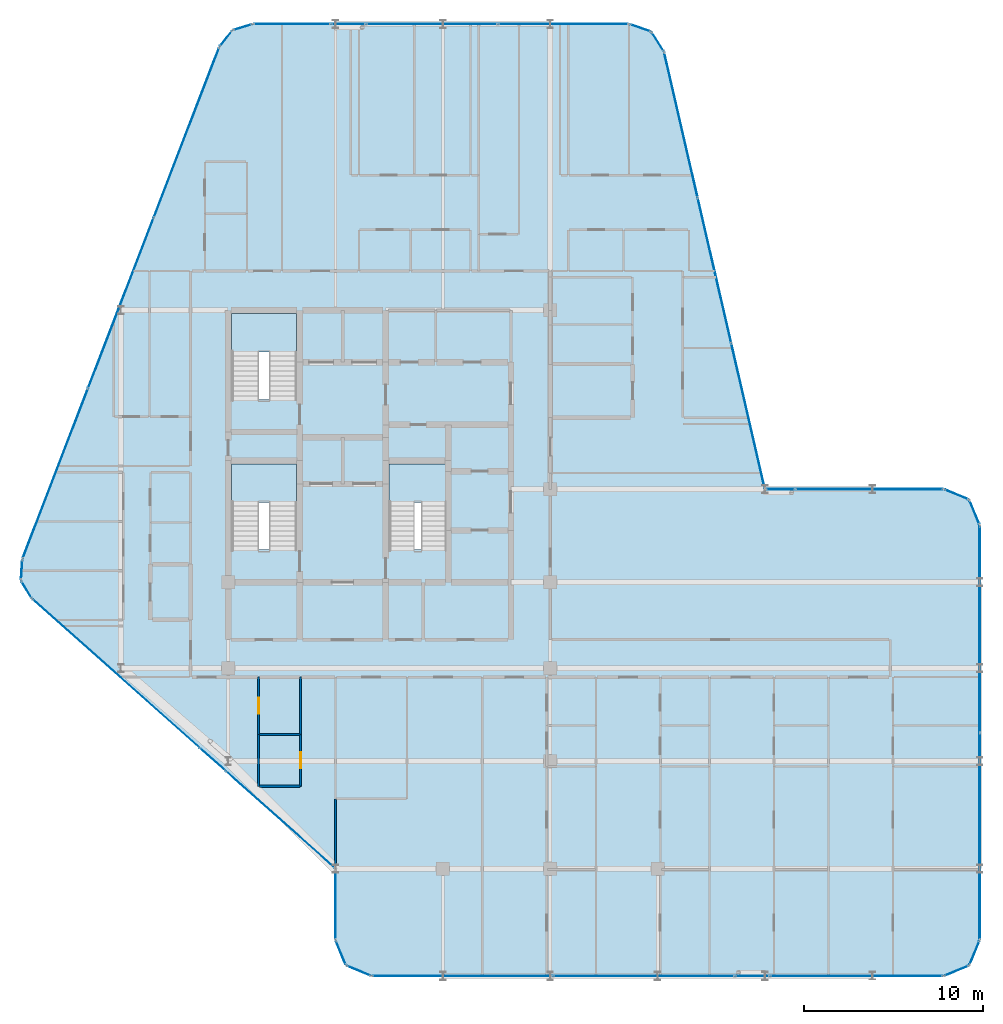
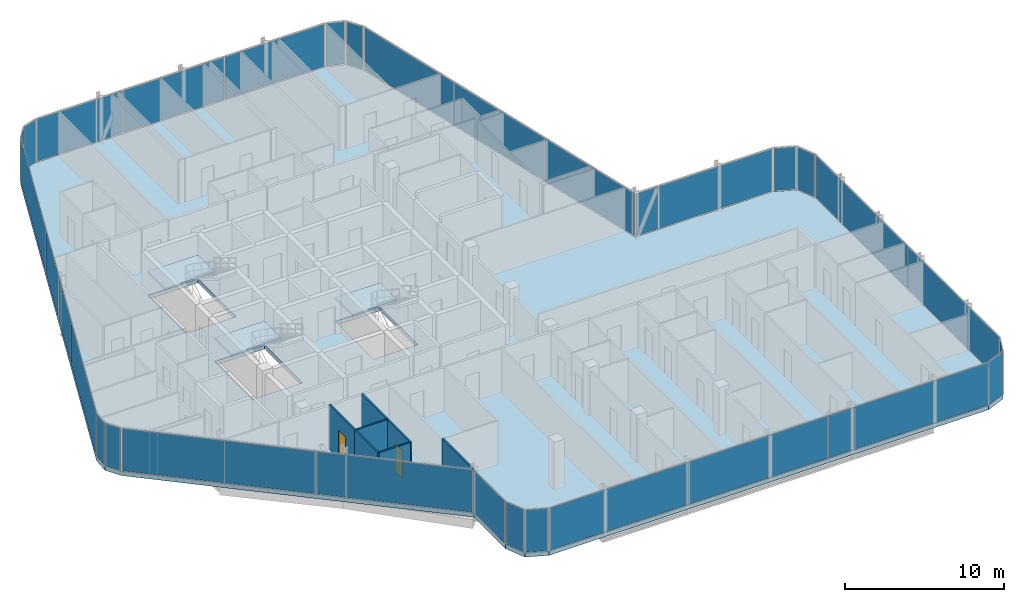
# One storey, part 22 of 29: 34 plates, 7 walls, 4 slabs, 2 doors, 2 openings, 30 elements without a shape of their own.
"""IFC4 building model written with IfcOpenShell, lengths in metres."""

from ifc_helpers import new_model, si_unit, direction, frame, frame_2d, origin, origin_2d, place, context, subcontext, project, spatial, polyline, rectangle, outline, extrude, material, layer, layer_set, type_object, element, fill, aggregate, save


model = new_model("IFC4")

# Units and contexts
model_context = context("Model", 3, precision=1e-05, world=origin(), true_north=direction((0.0, 1.0)))
body_context = subcontext(model_context, "Body", "Model", "MODEL_VIEW")
ifc_project = project(units=[si_unit("LENGTHUNIT", "METRE"), si_unit("AREAUNIT", "SQUARE_METRE"), si_unit("VOLUMEUNIT", "CUBIC_METRE"), si_unit("PLANEANGLEUNIT", "RADIAN"), si_unit("MASSUNIT", "GRAM", prefix="KILO")], contexts=[model_context])

# Site, building, storey
site_placement = place(None, origin())
site = spatial("IfcSite", under=ifc_project, at=site_placement, CompositionType="ELEMENT")
building_placement = place(site_placement, origin())
building = spatial("IfcBuilding", under=site, at=building_placement, Name="Keshet Zoharim Tower", CompositionType="ELEMENT")
storey_placement = place(building_placement, frame((0.0, 0.0, 222.800048828125)))
storey = spatial("IfcBuildingStorey", under=building, at=storey_placement, Name="L55", CompositionType="ELEMENT", Elevation=222.800048828125)

# Curtain wall, plate
ifc_material_1 = material(Name="Aluminium 6063-T6", Category="aluminium")
ifc_layer_1 = layer(ifc_material_1, 0.139892578125)
ifc_layer_set_1 = layer_set([ifc_layer_1], Name="Aluminium 6063-T6")
curtain_wall_type = type_object("IfcCurtainWallType", Name="CW-SYS-05", PredefinedType="NOTDEFINED", material=ifc_layer_set_1)
curtain_wall_1_placement = place(storey_placement, origin())
curtain_wall_1 = element("IfcCurtainWall", 1, at=curtain_wall_1_placement, inside=storey, type_object=curtain_wall_type, Name="L55 Unitised Curtain Wall 01", PredefinedType="NOTDEFINED")
ifc_material_2 = material(Name="Insulated Low-E Clear Glass", Category="glass")
ifc_layer_2 = layer(ifc_material_2, 0.031982421875)
ifc_layer_set_2 = layer_set([ifc_layer_2], Name="Insulated Low-E Clear Glass")
plate_type_1 = type_object("IfcPlateType", Name="CWP-02", PredefinedType="CURTAIN_PANEL", material=ifc_layer_set_2)
plate_1_placement = place(storey_placement, frame((55.70703125, 27.60693359375, 0.070068359375), z_axis=(0.0, 0.0, 1.0), x_axis=(0.92380975372, -0.382851849847, 0.0)))
plate_1 = element("IfcPlate", 2, at=plate_1_placement, type_object=plate_type_1, Name="CW-05 panel 1.1", PredefinedType="CURTAIN_PANEL", context=body_context, shape_type="SweptSolid", body=[
    extrude(rectangle(XDim=1.390625, YDim=0.031982421875, at=origin_2d()), origin(), (0.0, 0.0, 1.0), 3.25),
])
aggregate(curtain_wall_1, [plate_1])

curtain_wall_2_placement = place(storey_placement, origin())
curtain_wall_2 = element("IfcCurtainWall", 3, at=curtain_wall_2_placement, inside=storey, type_object=curtain_wall_type, Name="L55 Unitised Curtain Wall 02", PredefinedType="NOTDEFINED")
plate_2_placement = place(storey_placement, frame((56.70703125, 26.60693359375, 0.070068359375), z_axis=(0.0, 0.0, 1.0), x_axis=(0.382851849847, -0.92380975372, 0.0)))
plate_2 = element("IfcPlate", 4, at=plate_2_placement, type_object=plate_type_1, Name="CW-05 panel 1.1", PredefinedType="CURTAIN_PANEL", context=body_context, shape_type="SweptSolid", body=[
    extrude(rectangle(XDim=1.390625, YDim=0.031982421875, at=origin_2d()), origin(), (0.0, 0.0, 1.0), 3.25),
])
aggregate(curtain_wall_2, [plate_2])

# Curtain wall, plates
curtain_wall_3_placement = place(storey_placement, origin())
curtain_wall_3 = element("IfcCurtainWall", 5, at=curtain_wall_3_placement, inside=storey, type_object=curtain_wall_type, Name="L55 Unitised Curtain Wall 03", PredefinedType="NOTDEFINED")
plate_3_placement = place(storey_placement, frame((57.0, 20.08251953125, 0.070068359375), z_axis=(0.0, 0.0, 1.0), x_axis=(0.0, -1.0, 0.0)))
plate_3 = element("IfcPlate", 6, at=plate_3_placement, type_object=plate_type_1, Name="CW-05 panel 1.1", PredefinedType="CURTAIN_PANEL", context=body_context, shape_type="SweptSolid", body=[
    extrude(rectangle(XDim=11.4951171875, YDim=0.031982421875, at=origin_2d()), origin(), (0.0, 0.0, 1.0), 3.25),
])
plate_4_placement = place(storey_placement, frame((57.0, 8.517578125, 0.070068359375), z_axis=(0.0, 0.0, 1.0), x_axis=(0.0, -1.0, 0.0)))
plate_4 = element("IfcPlate", 7, at=plate_4_placement, type_object=plate_type_1, Name="CW-05 panel 2.1", PredefinedType="CURTAIN_PANEL", context=body_context, shape_type="SweptSolid", body=[
    extrude(rectangle(XDim=11.4951171875, YDim=0.031982421875, at=origin_2d()), origin(), (0.0, 0.0, 1.0), 3.25),
])
aggregate(curtain_wall_3, [plate_3, plate_4])

# Curtain wall, plate
curtain_wall_4_placement = place(storey_placement, origin())
curtain_wall_4 = element("IfcCurtainWall", 8, at=curtain_wall_4_placement, inside=storey, type_object=curtain_wall_type, Name="L55 Unitised Curtain Wall 04", PredefinedType="NOTDEFINED")
plate_5_placement = place(storey_placement, frame((56.70703125, 1.992919921875, 0.070068359375), z_axis=(0.0, 0.0, 1.0), x_axis=(-0.382851849847, -0.92380975372, 0.0)))
plate_5 = element("IfcPlate", 9, at=plate_5_placement, type_object=plate_type_1, Name="CW-05 panel 1.1", PredefinedType="CURTAIN_PANEL", context=body_context, shape_type="SweptSolid", body=[
    extrude(rectangle(XDim=1.390625, YDim=0.031982421875, at=origin_2d()), origin(), (0.0, 0.0, 1.0), 3.25),
])
aggregate(curtain_wall_4, [plate_5])

curtain_wall_5_placement = place(storey_placement, origin())
curtain_wall_5 = element("IfcCurtainWall", 10, at=curtain_wall_5_placement, inside=storey, type_object=curtain_wall_type, Name="L55 Unitised Curtain Wall 05", PredefinedType="NOTDEFINED")
plate_6_placement = place(storey_placement, frame((55.70703125, 0.992919921875, 0.070068359375), z_axis=(0.0, 0.0, 1.0), x_axis=(-0.92380975372, -0.382851849847, 0.0)))
plate_6 = element("IfcPlate", 11, at=plate_6_placement, type_object=plate_type_1, Name="CW-05 panel 1.1", PredefinedType="CURTAIN_PANEL", context=body_context, shape_type="SweptSolid", body=[
    extrude(rectangle(XDim=1.390625, YDim=0.031982421875, at=origin_2d()), origin(), (0.0, 0.0, 1.0), 3.25),
])
aggregate(curtain_wall_5, [plate_6])

curtain_wall_6_placement = place(storey_placement, origin())
curtain_wall_6 = element("IfcCurtainWall", 12, at=curtain_wall_6_placement, inside=storey, type_object=curtain_wall_type, Name="L55 Unitised Curtain Wall 06", PredefinedType="NOTDEFINED")
plate_7_placement = place(storey_placement, frame((50.1123046875, 0.699951171875, 0.070068359375), z_axis=(0.0, 0.0, 1.0), x_axis=(-1.0, 0.0, 0.0)))
plate_7 = element("IfcPlate", 13, at=plate_7_placement, type_object=plate_type_1, Name="CW-05 panel 1.1", PredefinedType="CURTAIN_PANEL", context=body_context, shape_type="SweptSolid", body=[
    extrude(rectangle(XDim=9.63525390625, YDim=0.031982421875, at=origin_2d()), origin(), (0.0, 0.0, 1.0), 3.25),
])
aggregate(curtain_wall_6, [plate_7])

# Curtain wall, plates
curtain_wall_7_placement = place(storey_placement, origin())
curtain_wall_7 = element("IfcCurtainWall", 14, at=curtain_wall_7_placement, inside=storey, type_object=curtain_wall_type, Name="L55 Unitised Curtain Wall 06 Part 3", PredefinedType="NOTDEFINED")
plate_8_placement = place(storey_placement, frame((38.223876953125, 0.699951171875, 0.070068359375), z_axis=(0.0, 0.0, 1.0), x_axis=(-1.0, 0.0, 0.0)))
plate_8 = element("IfcPlate", 15, at=plate_8_placement, type_object=plate_type_1, Name="CW-05 panel 1.1", PredefinedType="CURTAIN_PANEL", context=body_context, shape_type="SweptSolid", body=[
    extrude(rectangle(XDim=10.1025390625, YDim=0.031982421875, at=origin_2d()), origin(), (0.0, 0.0, 1.0), 3.25),
])
plate_9_placement = place(storey_placement, frame((28.086181640625, 0.699951171875, 0.070068359375), z_axis=(0.0, 0.0, 1.0), x_axis=(-1.0, 0.0, 0.0)))
plate_9 = element("IfcPlate", 16, at=plate_9_placement, type_object=plate_type_1, Name="CW-05 panel 2.1", PredefinedType="CURTAIN_PANEL", context=body_context, shape_type="SweptSolid", body=[
    extrude(rectangle(XDim=10.03271484375, YDim=0.031982421875, at=origin_2d()), origin(), (0.0, 0.0, 1.0), 3.25),
])
aggregate(curtain_wall_7, [plate_8, plate_9])

# Curtain wall, plate
curtain_wall_8_placement = place(storey_placement, origin())
curtain_wall_8 = element("IfcCurtainWall", 17, at=curtain_wall_8_placement, inside=storey, type_object=curtain_wall_type, Name="L55 Unitised Curtain Wall 07", PredefinedType="NOTDEFINED")
plate_10_placement = place(storey_placement, frame((22.29296875, 0.992919921875, 0.070068359375), z_axis=(0.0, 0.0, 1.0), x_axis=(-0.92380975372, 0.382851849847, 0.0)))
plate_10 = element("IfcPlate", 18, at=plate_10_placement, type_object=plate_type_1, Name="CW-05 panel 1.1", PredefinedType="CURTAIN_PANEL", context=body_context, shape_type="SweptSolid", body=[
    extrude(rectangle(XDim=1.390625, YDim=0.031982421875, at=origin_2d()), origin(), (0.0, 0.0, 1.0), 3.25),
])
aggregate(curtain_wall_8, [plate_10])

curtain_wall_9_placement = place(storey_placement, origin())
curtain_wall_9 = element("IfcCurtainWall", 19, at=curtain_wall_9_placement, inside=storey, type_object=curtain_wall_type, Name="L55 Unitised Curtain Wall 08", PredefinedType="NOTDEFINED")
plate_11_placement = place(storey_placement, frame((21.29296875, 1.992919921875, 0.070068359375), z_axis=(0.0, 0.0, 1.0), x_axis=(-0.382851849847, 0.92380975372, 0.0)))
plate_11 = element("IfcPlate", 20, at=plate_11_placement, type_object=plate_type_1, Name="CW-05 panel 1.1", PredefinedType="CURTAIN_PANEL", context=body_context, shape_type="SweptSolid", body=[
    extrude(rectangle(XDim=1.390625, YDim=0.031982421875, at=origin_2d()), origin(), (0.0, 0.0, 1.0), 3.25),
])
aggregate(curtain_wall_9, [plate_11])

curtain_wall_10_placement = place(storey_placement, origin())
curtain_wall_10 = element("IfcCurtainWall", 21, at=curtain_wall_10_placement, inside=storey, type_object=curtain_wall_type, Name="L55 Unitised Curtain Wall 09", PredefinedType="NOTDEFINED")
plate_12_placement = place(storey_placement, frame((21.0, 4.699951171875, 0.070068359375), z_axis=(0.0, 0.0, 1.0), x_axis=(0.0, 1.0, 0.0)))
plate_12 = element("IfcPlate", 22, at=plate_12_placement, type_object=plate_type_1, Name="CW-05 panel 1.1", PredefinedType="CURTAIN_PANEL", context=body_context, shape_type="SweptSolid", body=[
    extrude(rectangle(XDim=3.860107421875, YDim=0.031982421875, at=origin_2d()), origin(), (0.0, 0.0, 1.0), 3.25),
])
aggregate(curtain_wall_10, [plate_12])

curtain_wall_11_placement = place(storey_placement, origin())
curtain_wall_11 = element("IfcCurtainWall", 23, at=curtain_wall_11_placement, inside=storey, type_object=curtain_wall_type, Name="L55 Unitised Curtain Wall 10", PredefinedType="NOTDEFINED")
plate_13_placement = place(storey_placement, frame((17.91845703125, 9.439208984375, 0.070068359375), z_axis=(0.0, 0.0, 1.0), x_axis=(-0.747409987764, 0.664363086114, 0.0)))
plate_13 = element("IfcPlate", 24, at=plate_13_placement, type_object=plate_type_1, Name="CW-05 panel 1.1", PredefinedType="CURTAIN_PANEL", context=body_context, shape_type="SweptSolid", body=[
    extrude(rectangle(XDim=8.10595703125, YDim=0.031982421875, at=origin_2d()), origin(), (0.0, 0.0, 1.0), 3.25),
])
aggregate(curtain_wall_11, [plate_13])

curtain_wall_12_placement = place(storey_placement, origin())
curtain_wall_12 = element("IfcCurtainWall", 25, at=curtain_wall_12_placement, inside=storey, type_object=curtain_wall_type, Name="L55 Unitised Curtain Wall 10 Part 3", PredefinedType="NOTDEFINED")
plate_14_placement = place(storey_placement, frame((8.7333984375, 17.603515625, 0.070068359375), z_axis=(0.0, 0.0, 1.0), x_axis=(-0.747409318679, 0.664363838836, 0.0)))
plate_14 = element("IfcPlate", 26, at=plate_14_placement, type_object=plate_type_1, Name="CW-05 panel 1.1", PredefinedType="CURTAIN_PANEL", context=body_context, shape_type="SweptSolid", body=[
    extrude(rectangle(XDim=12.432861328125, YDim=0.031982421875, at=origin_2d()), origin(), (0.0, 0.0, 1.0), 3.25),
])
aggregate(curtain_wall_12, [plate_14])

curtain_wall_13_placement = place(storey_placement, origin())
curtain_wall_13 = element("IfcCurtainWall", 27, at=curtain_wall_13_placement, inside=storey, type_object=curtain_wall_type, Name="L55 Unitised Curtain Wall 11", PredefinedType="NOTDEFINED")
plate_15_placement = place(storey_placement, frame((3.7275390625, 22.291015625, 0.070068359375), z_axis=(0.0, 0.0, 1.0), x_axis=(-0.515604947933, 0.856826433805, 0.0)))
plate_15 = element("IfcPlate", 28, at=plate_15_placement, type_object=plate_type_1, Name="CW-05 panel 1.1", PredefinedType="CURTAIN_PANEL", context=body_context, shape_type="SweptSolid", body=[
    extrude(rectangle(XDim=1.052734375, YDim=0.031982421875, at=origin_2d()), origin(), (0.0, 0.0, 1.0), 3.25),
])
aggregate(curtain_wall_13, [plate_15])

curtain_wall_14_placement = place(storey_placement, origin())
curtain_wall_14 = element("IfcCurtainWall", 29, at=curtain_wall_14_placement, inside=storey, type_object=curtain_wall_type, Name="L55 Unitised Curtain Wall 12", PredefinedType="NOTDEFINED")
plate_16_placement = place(storey_placement, frame((3.45849609375, 23.3974609375, 0.070068359375), z_axis=(0.0, 0.0, 1.0), x_axis=(0.064516859374, 0.997916617186, 0.0)))
plate_16 = element("IfcPlate", 30, at=plate_16_placement, type_object=plate_type_1, Name="CW-05 panel 1.1", PredefinedType="CURTAIN_PANEL", context=body_context, shape_type="SweptSolid", body=[
    extrude(rectangle(XDim=1.053466796875, YDim=0.031982421875, at=origin_2d()), origin(), (0.0, 0.0, 1.0), 3.25),
])
aggregate(curtain_wall_14, [plate_16])

# Curtain wall, plates
curtain_wall_15_placement = place(storey_placement, origin())
curtain_wall_15 = element("IfcCurtainWall", 31, at=curtain_wall_15_placement, inside=storey, type_object=curtain_wall_type, Name="L55 Unitised Curtain Wall 13", PredefinedType="NOTDEFINED")
plate_17_placement = place(storey_placement, frame((5.33837890625, 28.7802734375, 0.070068359375), z_axis=(0.0, 0.0, 1.0), x_axis=(0.358990003907, 0.933341404361, 0.0)))
plate_17 = element("IfcPlate", 32, at=plate_17_placement, type_object=plate_type_1, Name="CW-05 panel 1.1", PredefinedType="CURTAIN_PANEL", context=body_context, shape_type="SweptSolid", body=[
    extrude(rectangle(XDim=10.1181640625, YDim=0.031982421875, at=origin_2d()), origin(), (0.0, 0.0, 1.0), 3.25),
])
plate_18_placement = place(storey_placement, frame((9.001953125, 38.305419921875, 0.070068359375), z_axis=(0.0, 0.0, 1.0), x_axis=(0.358990003907, 0.933341404361, 0.0)))
plate_18 = element("IfcPlate", 33, at=plate_18_placement, type_object=plate_type_1, Name="CW-05 panel 2.1", PredefinedType="CURTAIN_PANEL", context=body_context, shape_type="SweptSolid", body=[
    extrude(rectangle(XDim=10.153076171875, YDim=0.031982421875, at=origin_2d()), origin(), (0.0, 0.0, 1.0), 3.25),
])
plate_19_placement = place(storey_placement, frame((12.665771484375, 47.830810546875, 0.070068359375), z_axis=(0.0, 0.0, 1.0), x_axis=(0.358990003907, 0.933341404361, 0.0)))
plate_19 = element("IfcPlate", 34, at=plate_19_placement, type_object=plate_type_1, Name="CW-05 panel 3.1", PredefinedType="CURTAIN_PANEL", context=body_context, shape_type="SweptSolid", body=[
    extrude(rectangle(XDim=10.1181640625, YDim=0.031982421875, at=origin_2d()), origin(), (0.0, 0.0, 1.0), 3.25),
])
aggregate(curtain_wall_15, [plate_17, plate_18, plate_19])

# Curtain wall, plate
curtain_wall_16_placement = place(storey_placement, origin())
curtain_wall_16 = element("IfcCurtainWall", 35, at=curtain_wall_16_placement, inside=storey, type_object=curtain_wall_type, Name="L55 Unitised Curtain Wall 14", PredefinedType="NOTDEFINED")
plate_20_placement = place(storey_placement, frame((14.8740234375, 53.08349609375, 0.070068359375), z_axis=(0.0, 0.0, 1.0), x_axis=(0.619124525989, 0.785292825205, 0.0)))
plate_20 = element("IfcPlate", 36, at=plate_20_placement, type_object=plate_type_1, Name="CW-05 panel 1.1", PredefinedType="CURTAIN_PANEL", context=body_context, shape_type="SweptSolid", body=[
    extrude(rectangle(XDim=1.045654296875, YDim=0.031982421875, at=origin_2d()), origin(), (0.0, 0.0, 1.0), 3.25),
])
aggregate(curtain_wall_16, [plate_20])

curtain_wall_17_placement = place(storey_placement, origin())
curtain_wall_17 = element("IfcCurtainWall", 37, at=curtain_wall_17_placement, inside=storey, type_object=curtain_wall_type, Name="L55 Unitised Curtain Wall 15", PredefinedType="NOTDEFINED")
plate_21_placement = place(storey_placement, frame((15.8076171875, 53.724609375, 0.070068359375), z_axis=(0.0, 0.0, 1.0), x_axis=(0.955212151288, 0.295921857984, 0.0)))
plate_21 = element("IfcPlate", 38, at=plate_21_placement, type_object=plate_type_1, Name="CW-05 panel 1.1", PredefinedType="CURTAIN_PANEL", context=body_context, shape_type="SweptSolid", body=[
    extrude(rectangle(XDim=1.046142578125, YDim=0.031982421875, at=origin_2d()), origin(), (0.0, 0.0, 1.0), 3.25),
])
aggregate(curtain_wall_17, [plate_21])

curtain_wall_18_placement = place(storey_placement, origin())
curtain_wall_18 = element("IfcCurtainWall", 39, at=curtain_wall_18_placement, inside=storey, type_object=curtain_wall_type, Name="L55 Unitised Curtain Wall 16", PredefinedType="NOTDEFINED")
plate_22_placement = place(storey_placement, frame((18.57470703125, 53.89990234375, 0.070068359375), z_axis=(0.0, 0.0, 1.0), x_axis=(1.0, 0.0, 0.0)))
plate_22 = element("IfcPlate", 40, at=plate_22_placement, type_object=plate_type_1, Name="CW-05 panel 1.1", PredefinedType="CURTAIN_PANEL", context=body_context, shape_type="SweptSolid", body=[
    extrude(rectangle(XDim=4.26123046875, YDim=0.031982421875, at=origin_2d()), origin(), (0.0, 0.0, 1.0), 3.25),
])
aggregate(curtain_wall_18, [plate_22])

# Curtain wall, plates
curtain_wall_19_placement = place(storey_placement, origin())
curtain_wall_19 = element("IfcCurtainWall", 41, at=curtain_wall_19_placement, inside=storey, type_object=curtain_wall_type, Name="L55 Unitised Curtain Wall 16 Part 3", PredefinedType="NOTDEFINED")
plate_23_placement = place(storey_placement, frame((26.37841796875, 53.89990234375, 0.070068359375), z_axis=(0.0, 0.0, 1.0), x_axis=(1.0, 0.0, 0.0)))
plate_23 = element("IfcPlate", 42, at=plate_23_placement, type_object=plate_type_1, Name="CW-05 panel 1.1", PredefinedType="CURTAIN_PANEL", context=body_context, shape_type="SweptSolid", body=[
    extrude(rectangle(XDim=7.30712890625, YDim=0.031982421875, at=origin_2d()), origin(), (0.0, 0.0, 1.0), 3.25),
])
plate_24_placement = place(storey_placement, frame((33.720458984375, 53.89990234375, 0.070068359375), z_axis=(0.0, 0.0, 1.0), x_axis=(1.0, 0.0, 0.0)))
plate_24 = element("IfcPlate", 43, at=plate_24_placement, type_object=plate_type_1, Name="CW-05 panel 2.1", PredefinedType="CURTAIN_PANEL", context=body_context, shape_type="SweptSolid", body=[
    extrude(rectangle(XDim=7.237060546875, YDim=0.031982421875, at=origin_2d()), origin(), (0.0, 0.0, 1.0), 3.25),
])
aggregate(curtain_wall_19, [plate_23, plate_24])

# Curtain wall, plate
curtain_wall_20_placement = place(storey_placement, origin())
curtain_wall_20 = element("IfcCurtainWall", 44, at=curtain_wall_20_placement, inside=storey, type_object=curtain_wall_type, Name="L55 Unitised Curtain Wall 17", PredefinedType="NOTDEFINED")
plate_25_placement = place(storey_placement, frame((38.031494140625, 53.6826171875, 0.070068359375), z_axis=(0.0, 0.0, 1.0), x_axis=(0.944035542119, -0.329843743636, 0.0)))
plate_25 = element("IfcPlate", 45, at=plate_25_placement, type_object=plate_type_1, Name="CW-05 panel 1.1", PredefinedType="CURTAIN_PANEL", context=body_context, shape_type="SweptSolid", body=[
    extrude(rectangle(XDim=1.1787109375, YDim=0.031982421875, at=origin_2d()), origin(), (0.0, 0.0, 1.0), 3.25),
])
aggregate(curtain_wall_20, [plate_25])

curtain_wall_21_placement = place(storey_placement, origin())
curtain_wall_21 = element("IfcCurtainWall", 46, at=curtain_wall_21_placement, inside=storey, type_object=curtain_wall_type, Name="L55 Unitised Curtain Wall 18", PredefinedType="NOTDEFINED")
plate_26_placement = place(storey_placement, frame((39.006103515625, 52.907470703125, 0.070068359375), z_axis=(0.0, 0.0, 1.0), x_axis=(0.533878858502, -0.845560976183, 0.0)))
plate_26 = element("IfcPlate", 47, at=plate_26_placement, type_object=plate_type_1, Name="CW-05 panel 1.1", PredefinedType="CURTAIN_PANEL", context=body_context, shape_type="SweptSolid", body=[
    extrude(rectangle(XDim=1.1787109375, YDim=0.031982421875, at=origin_2d()), origin(), (0.0, 0.0, 1.0), 3.25),
])
aggregate(curtain_wall_21, [plate_26])

# Curtain wall, plates
curtain_wall_22_placement = place(storey_placement, origin())
curtain_wall_22 = element("IfcCurtainWall", 48, at=curtain_wall_22_placement, inside=storey, type_object=curtain_wall_type, Name="L55 Unitised Curtain Wall 19", PredefinedType="NOTDEFINED")
plate_27_placement = place(storey_placement, frame((40.30224609375, 48.258056640625, 0.070068359375), z_axis=(0.0, 0.0, 1.0), x_axis=(0.224847864369, -0.974393882313, 0.0)))
plate_27 = element("IfcPlate", 49, at=plate_27_placement, type_object=plate_type_1, Name="CW-05 panel 1.1", PredefinedType="CURTAIN_PANEL", context=body_context, shape_type="SweptSolid", body=[
    extrude(rectangle(XDim=8.25927734375, YDim=0.031982421875, at=origin_2d()), origin(), (0.0, 0.0, 1.0), 3.25),
])
plate_28_placement = place(storey_placement, frame((42.178955078125, 40.125, 0.070068359375), z_axis=(0.0, 0.0, 1.0), x_axis=(0.224847864369, -0.974393882313, 0.0)))
plate_28 = element("IfcPlate", 50, at=plate_28_placement, type_object=plate_type_1, Name="CW-05 panel 2.1", PredefinedType="CURTAIN_PANEL", context=body_context, shape_type="SweptSolid", body=[
    extrude(rectangle(XDim=8.294189453125, YDim=0.031982421875, at=origin_2d()), origin(), (0.0, 0.0, 1.0), 3.25),
])
plate_29_placement = place(storey_placement, frame((44.0556640625, 31.991943359375, 0.070068359375), z_axis=(0.0, 0.0, 1.0), x_axis=(0.224847864369, -0.974393882313, 0.0)))
plate_29 = element("IfcPlate", 51, at=plate_29_placement, type_object=plate_type_1, Name="CW-05 panel 3.1", PredefinedType="CURTAIN_PANEL", context=body_context, shape_type="SweptSolid", body=[
    extrude(rectangle(XDim=8.25927734375, YDim=0.031982421875, at=origin_2d()), origin(), (0.0, 0.0, 1.0), 3.25),
])
aggregate(curtain_wall_22, [plate_27, plate_28, plate_29])

# Curtain wall, plate
curtain_wall_23_placement = place(storey_placement, origin())
curtain_wall_23 = element("IfcCurtainWall", 52, at=curtain_wall_23_placement, inside=storey, type_object=curtain_wall_type, Name="L55 Unitised Curtain Wall 20 Part 2", PredefinedType="NOTDEFINED")
plate_30_placement = place(storey_placement, frame((50.827392578125, 27.89990234375, 0.070068359375), z_axis=(0.0, 0.0, 1.0), x_axis=(1.0, 0.0, 0.0)))
plate_30 = element("IfcPlate", 53, at=plate_30_placement, type_object=plate_type_1, Name="CW-05 panel 1.1", PredefinedType="CURTAIN_PANEL", context=body_context, shape_type="SweptSolid", body=[
    extrude(rectangle(XDim=8.205078125, YDim=0.031982421875, at=origin_2d()), origin(), (0.0, 0.0, 1.0), 3.25),
])
aggregate(curtain_wall_23, [plate_30])

curtain_wall_24_placement = place(storey_placement, origin())
curtain_wall_24 = element("IfcCurtainWall", 54, at=curtain_wall_24_placement, inside=storey, type_object=curtain_wall_type, Name="L55 Unitised Curtain Wall 06 Part 2", PredefinedType="NOTDEFINED")
ifc_material_3 = material(Name="Insulated Aluminium Spandrel Panel", Category="aluminium")
ifc_layer_3 = layer(ifc_material_3, 0.031982421875)
ifc_layer_set_3 = layer_set([ifc_layer_3], Name="Insulated Aluminium Spandrel Panel")
plate_type_2 = type_object("IfcPlateType", Name="CWP-05", PredefinedType="CURTAIN_PANEL", material=ifc_layer_set_3)
plate_31_placement = place(storey_placement, frame((44.284912109375, 0.699951171875, 0.070068359375), z_axis=(0.0, 0.0, 1.0), x_axis=(-1.0, 0.0, 0.0)))
plate_31 = element("IfcPlate", 55, at=plate_31_placement, type_object=plate_type_2, Name="CW-05 spandrel panel 1.1", PredefinedType="CURTAIN_PANEL", context=body_context, shape_type="SweptSolid", body=[
    extrude(rectangle(XDim=1.879638671875, YDim=0.031982421875, at=origin_2d()), origin(), (0.0, 0.0, 1.0), 3.25),
])
aggregate(curtain_wall_24, [plate_31])

curtain_wall_25_placement = place(storey_placement, origin())
curtain_wall_25 = element("IfcCurtainWall", 56, at=curtain_wall_25_placement, inside=storey, type_object=curtain_wall_type, Name="L55 Unitised Curtain Wall 10 Part 2", PredefinedType="NOTDEFINED")
plate_32_placement = place(storey_placement, frame((14.134521484375, 12.802734375, 0.070068359375), z_axis=(0.0, 0.0, 1.0), x_axis=(-0.747406488853, 0.664367022375, 0.0)))
plate_32 = element("IfcPlate", 57, at=plate_32_placement, type_object=plate_type_2, Name="CW-05 spandrel panel 1.1", PredefinedType="CURTAIN_PANEL", context=body_context, shape_type="SweptSolid", body=[
    extrude(rectangle(XDim=1.879638671875, YDim=0.031982421875, at=origin_2d()), origin(), (0.0, 0.0, 1.0), 3.25),
])
aggregate(curtain_wall_25, [plate_32])

curtain_wall_26_placement = place(storey_placement, origin())
curtain_wall_26 = element("IfcCurtainWall", 58, at=curtain_wall_26_placement, inside=storey, type_object=curtain_wall_type, Name="L55 Unitised Curtain Wall 16 Part 2", PredefinedType="NOTDEFINED")
plate_33_placement = place(storey_placement, frame((21.715087890625, 53.89990234375, 0.070068359375), z_axis=(0.0, 0.0, 1.0), x_axis=(1.0, 0.0, 0.0)))
plate_33 = element("IfcPlate", 59, at=plate_33_placement, type_object=plate_type_2, Name="CW-05 spandrel panel 1.1", PredefinedType="CURTAIN_PANEL", context=body_context, shape_type="SweptSolid", body=[
    extrude(rectangle(XDim=1.879638671875, YDim=0.031982421875, at=origin_2d()), origin(), (0.0, 0.0, 1.0), 3.25),
])
aggregate(curtain_wall_26, [plate_33])

curtain_wall_27_placement = place(storey_placement, origin())
curtain_wall_27 = element("IfcCurtainWall", 60, at=curtain_wall_27_placement, inside=storey, type_object=curtain_wall_type, Name="L55 Unitised Curtain Wall 20", PredefinedType="NOTDEFINED")
plate_34_placement = place(storey_placement, frame((45.8623046875, 27.89990234375, 0.070068359375), z_axis=(0.0, 0.0, 1.0), x_axis=(1.0, 0.0, 0.0)))
plate_34 = element("IfcPlate", 61, at=plate_34_placement, type_object=plate_type_2, Name="CW-05 spandrel panel 1.1", PredefinedType="CURTAIN_PANEL", context=body_context, shape_type="SweptSolid", body=[
    extrude(rectangle(XDim=1.584716796875, YDim=0.031982421875, at=origin_2d()), origin(), (0.0, 0.0, 1.0), 3.25),
])
aggregate(curtain_wall_27, [plate_34])

# Stair, slab
ifc_material_4 = material(Name="Concrete C50/60", Category="concrete")
stair_type = type_object("IfcStairType", Name="STR-EXIT-135", PredefinedType="HALF_TURN_STAIR", material=ifc_material_4)
stair_1_placement = place(storey_placement, origin())
stair_1 = element("IfcStair", 62, at=stair_1_placement, inside=storey, type_object=stair_type, Name="L55 Enclosed Exit Stair ST-01", PredefinedType="HALF_TURN_STAIR")
ifc_layer_4 = layer(ifc_material_4, 0.199951171875)
ifc_layer_set_4 = layer_set([ifc_layer_4], Name="Concrete C50/60")
slab_type_1 = type_object("IfcSlabType", Name="SLB-LND-200", PredefinedType="LANDING", material=ifc_layer_set_4)
slab_1_placement = place(storey_placement, frame((0.0, 0.0, 1.64990234375)))
slab_1 = element("IfcSlab", 63, at=slab_1_placement, type_object=slab_type_1, Name="ST-01 landing 1", PredefinedType="LANDING", context=body_context, shape_type="SweptSolid", body=[
    extrude(outline(polyline([(15.179931640625, 27.159912109375), (18.820068359375, 27.159912109375), (18.820068359375, 29.320068359375), (15.179931640625, 29.320068359375), (15.179931640625, 27.159912109375)])), origin(), (0.0, 0.0, 1.0), 0.199951171875),
])
aggregate(stair_1, [slab_1])

stair_2_placement = place(storey_placement, origin())
stair_2 = element("IfcStair", 64, at=stair_2_placement, inside=storey, type_object=stair_type, Name="L55 Enclosed Exit Stair ST-02", PredefinedType="HALF_TURN_STAIR")
slab_2_placement = place(storey_placement, frame((0.0, 0.0, 1.64990234375)))
slab_2 = element("IfcSlab", 65, at=slab_2_placement, type_object=slab_type_1, Name="ST-02 landing 1", PredefinedType="LANDING", context=body_context, shape_type="SweptSolid", body=[
    extrude(outline(polyline([(15.179931640625, 35.56005859375), (18.820068359375, 35.56005859375), (18.820068359375, 37.719970703125), (15.179931640625, 37.719970703125), (15.179931640625, 35.56005859375)])), origin(), (0.0, 0.0, 1.0), 0.199951171875),
])
aggregate(stair_2, [slab_2])

stair_3_placement = place(storey_placement, origin())
stair_3 = element("IfcStair", 66, at=stair_3_placement, inside=storey, type_object=stair_type, Name="L55 Enclosed Exit Stair ST-03", PredefinedType="HALF_TURN_STAIR")
slab_3_placement = place(storey_placement, frame((0.0, 0.0, 1.64990234375)))
slab_3 = element("IfcSlab", 67, at=slab_3_placement, type_object=slab_type_1, Name="ST-03 landing 1", PredefinedType="LANDING", context=body_context, shape_type="SweptSolid", body=[
    extrude(outline(polyline([(23.97998046875, 27.159912109375), (27.219970703125, 27.159912109375), (27.219970703125, 29.320068359375), (23.97998046875, 29.320068359375), (23.97998046875, 27.159912109375)])), origin(), (0.0, 0.0, 1.0), 0.199951171875),
])
aggregate(stair_3, [slab_3])

# Slab
ifc_layer_5 = layer(ifc_material_4, 0.31005859375)
ifc_layer_set_5 = layer_set([ifc_layer_5], Name="Concrete C50/60")
slab_type_2 = type_object("IfcSlabType", Name="SLB-UPP-240", PredefinedType="FLOOR", material=ifc_layer_set_5)
slab_4_placement = place(storey_placement, frame((0.0, 0.0, -0.31005859375)))
element("IfcSlab", 68, at=slab_4_placement, inside=storey, type_object=slab_type_2, Name="L55 Structural Floor Slab 1", PredefinedType="FLOOR", context=body_context, shape_type="SweptSolid", body=[
    extrude(outline(polyline([(55.0, 27.89990234375), (56.4140625, 27.31396484375), (57.0, 25.89990234375), (57.0, 2.699951171875), (56.4140625, 1.285888671875), (55.0, 0.699951171875), (23.0, 0.699951171875), (21.5859375, 1.285888671875), (21.0, 2.699951171875), (21.0, 6.699951171875), (4.034912109375, 21.780029296875), (3.419921875, 22.802001953125), (3.4970703125, 23.992919921875), (14.507080078125, 52.617919921875), (15.240966796875, 53.549072265625), (16.3740234375, 53.89990234375), (37.408935546875, 53.89990234375), (38.654052734375, 53.465087890625), (39.35791015625, 52.35009765625), (45.0, 27.89990234375), (55.0, 27.89990234375)]), holes=[polyline([(15.179931640625, 24.52001953125), (18.820068359375, 24.52001953125), (18.820068359375, 29.320068359375), (15.179931640625, 29.320068359375), (15.179931640625, 24.52001953125)]), polyline([(15.179931640625, 32.919921875), (18.820068359375, 32.919921875), (18.820068359375, 37.719970703125), (15.179931640625, 37.719970703125), (15.179931640625, 32.919921875)]), polyline([(23.97998046875, 24.52001953125), (27.219970703125, 24.52001953125), (27.219970703125, 29.320068359375), (23.97998046875, 29.320068359375), (23.97998046875, 24.52001953125)])]), origin(), (0.0, 0.0, 1.0), 0.31005859375),
])

# Wall, opening, door
ifc_material_5 = material(Name="Gypsum Plasterboard", Category="gypsum")
ifc_layer_6 = layer(ifc_material_5, 0.1201171875)
ifc_layer_set_6 = layer_set([ifc_layer_6], Name="Gypsum Plasterboard")
wall_type_1 = type_object("IfcWallType", Name="WL-PART-120", PredefinedType="PARTITIONING", material=ifc_layer_set_6)
wall_1_placement = place(storey_placement, frame((16.699951171875, 14.199951171875, 0.0), z_axis=(0.0, 0.0, 1.0), x_axis=(0.0, 1.0, 0.0)))
wall_1 = element("IfcWall", 69, at=wall_1_placement, inside=storey, type_object=wall_type_1, Name="L55 Interior Wall 022", PredefinedType="PARTITIONING", context=body_context, shape_type="SweptSolid", body=[
    extrude(rectangle(XDim=3.199951171875, YDim=0.1201171875, at=frame_2d((1.60009765625, 0.0))), origin(), (0.0, 0.0, 1.0), 3.389892578125),
])
opening_1_placement = place(wall_1_placement, frame((1.14990234375, 0.0, 0.0)))
opening_1 = element("IfcOpeningElement", 70, at=opening_1_placement, cuts=wall_1, Name="Opening D-IN90", PredefinedType="OPENING", context=body_context, shape_type="SweptSolid", body=[
    extrude(rectangle(XDim=0.89990234375, YDim=2.14990234375, at=frame_2d((0.449951171875, 1.074951171875))), frame((0.0, 0.070068359375, 0.0), z_axis=(0.0, -1.0, 0.0), x_axis=(1.0, 0.0, 0.0)), (0.0, 0.0, 1.0), 0.14013671875),
])
ifc_material_6 = material(Name="Hardwood Timber", Category="wood")
door_type_1 = type_object("IfcDoorType", Name="DR-INT-090", OperationType="NOTDEFINED", PredefinedType="DOOR", material=ifc_material_6)
door_1_placement = place(opening_1_placement, origin())
door_1 = element("IfcDoor", 71, at=door_1_placement, inside=storey, type_object=door_type_1, Name="Apartment 5501 Kitchenette Door", OperationType="SINGLE_SWING_LEFT", OverallHeight=2.14990234375, OverallWidth=0.89990234375, PredefinedType="DOOR", context=body_context, shape_type="SweptSolid", body=[
    extrude(rectangle(XDim=0.89990234375, YDim=2.14990234375, at=frame_2d((0.449951171875, 1.074951171875))), frame((0.0, 0.02490234375, 0.0), z_axis=(0.0, -1.0, 0.0), x_axis=(1.0, 0.0, 0.0)), (0.0, 0.0, 1.0), 0.050048828125),
])
fill(opening_1, door_1)

# Walls
wall_2_placement = place(storey_placement, frame((19.050048828125, 14.199951171875, 0.0), z_axis=(0.0, 0.0, 1.0), x_axis=(0.0, 1.0, 0.0)))
element("IfcWall", 72, at=wall_2_placement, inside=storey, type_object=wall_type_1, Name="L55 Interior Wall 030", PredefinedType="PARTITIONING", context=body_context, shape_type="SweptSolid", body=[
    extrude(rectangle(XDim=3.199951171875, YDim=0.1201171875, at=frame_2d((1.60009765625, 0.0))), origin(), (0.0, 0.0, 1.0), 3.389892578125),
])
wall_3_placement = place(storey_placement, frame((21.0, 6.7099609375, 0.0), z_axis=(0.0, 0.0, 1.0), x_axis=(0.0, 1.0, 0.0)))
element("IfcWall", 73, at=wall_3_placement, inside=storey, type_object=wall_type_1, Name="L55 Interior Wall 031", PredefinedType="PARTITIONING", context=body_context, shape_type="SweptSolid", body=[
    extrude(rectangle(XDim=3.89013671875, YDim=0.1201171875, at=frame_2d((1.945068359375, 0.0))), origin(), (0.0, 0.0, 1.0), 3.389892578125),
])
ifc_layer_7 = layer(ifc_material_5, 0.1201171875)
ifc_layer_set_7 = layer_set([ifc_layer_7], Name="Gypsum Plasterboard")
wall_type_2 = type_object("IfcWallType", Name="WL-WET-120", PredefinedType="PARTITIONING", material=ifc_layer_set_7)
wall_4_placement = place(storey_placement, frame((16.699951171875, 11.300048828125, 0.0), z_axis=(0.0, 0.0, 1.0), x_axis=(0.0, 1.0, 0.0)))
element("IfcWall", 74, at=wall_4_placement, inside=storey, type_object=wall_type_2, Name="L55 Interior Wall 021", PredefinedType="PARTITIONING", context=body_context, shape_type="SweptSolid", body=[
    extrude(rectangle(XDim=2.89990234375, YDim=0.1201171875, at=frame_2d((1.449951171875, 0.0))), origin(), (0.0, 0.0, 1.0), 3.389892578125),
])

# Wall, opening, door
wall_5_placement = place(storey_placement, frame((19.050048828125, 11.300048828125, 0.0), z_axis=(0.0, 0.0, 1.0), x_axis=(0.0, 1.0, 0.0)))
wall_5 = element("IfcWall", 75, at=wall_5_placement, inside=storey, type_object=wall_type_2, Name="L55 Interior Wall 029", PredefinedType="PARTITIONING", context=body_context, shape_type="SweptSolid", body=[
    extrude(rectangle(XDim=2.89990234375, YDim=0.1201171875, at=frame_2d((1.449951171875, 0.0))), origin(), (0.0, 0.0, 1.0), 3.389892578125),
])
opening_2_placement = place(wall_5_placement, frame((1.0, 0.0, 0.0)))
opening_2 = element("IfcOpeningElement", 76, at=opening_2_placement, cuts=wall_5, Name="Opening D-WT90", PredefinedType="OPENING", context=body_context, shape_type="SweptSolid", body=[
    extrude(rectangle(XDim=0.89990234375, YDim=2.10009765625, at=frame_2d((0.449951171875, 1.050048828125))), frame((0.0, 0.070068359375, 0.0), z_axis=(0.0, -1.0, 0.0), x_axis=(1.0, 0.0, 0.0)), (0.0, 0.0, 1.0), 0.14013671875),
])
door_type_2 = type_object("IfcDoorType", Name="DR-WET-090", OperationType="NOTDEFINED", PredefinedType="DOOR", material=ifc_material_6)
door_2_placement = place(opening_2_placement, origin())
door_2 = element("IfcDoor", 77, at=door_2_placement, inside=storey, type_object=door_type_2, Name="Apartment 5501 Bathroom Door", OperationType="SINGLE_SWING_RIGHT", OverallHeight=2.10009765625, OverallWidth=0.89990234375, PredefinedType="DOOR", context=body_context, shape_type="SweptSolid", body=[
    extrude(rectangle(XDim=0.89990234375, YDim=2.10009765625, at=frame_2d((0.449951171875, 1.050048828125))), frame((0.0, 0.02490234375, 0.0), z_axis=(0.0, -1.0, 0.0), x_axis=(1.0, 0.0, 0.0)), (0.0, 0.0, 1.0), 0.050048828125),
])
fill(opening_2, door_2)

# Walls
for number, where, z_axis, x_axis, name in (
    (78, (16.7451171875, 11.300048828125, 0.0), (0.0, 0.0, 1.0), (1.0, 0.0, 0.0), "L55 Interior Wall 110"),
    (79, (16.7451171875, 14.199951171875, 0.0), (0.0, 0.0, 1.0), (1.0, 0.0, 0.0), "L55 Interior Wall 115"),
):
    element("IfcWall", number, at=place(storey_placement, frame(where, z_axis=z_axis, x_axis=x_axis)), inside=storey, type_object=wall_type_2, Name=name, PredefinedType="PARTITIONING", context=body_context, shape_type="SweptSolid", body=[
        extrude(rectangle(XDim=2.259765625, YDim=0.1201171875, at=frame_2d((1.1298828125, 0.0))), origin(), (0.0, 0.0, 1.0), 3.389892578125),
    ])

save(model, "model.ifc")
